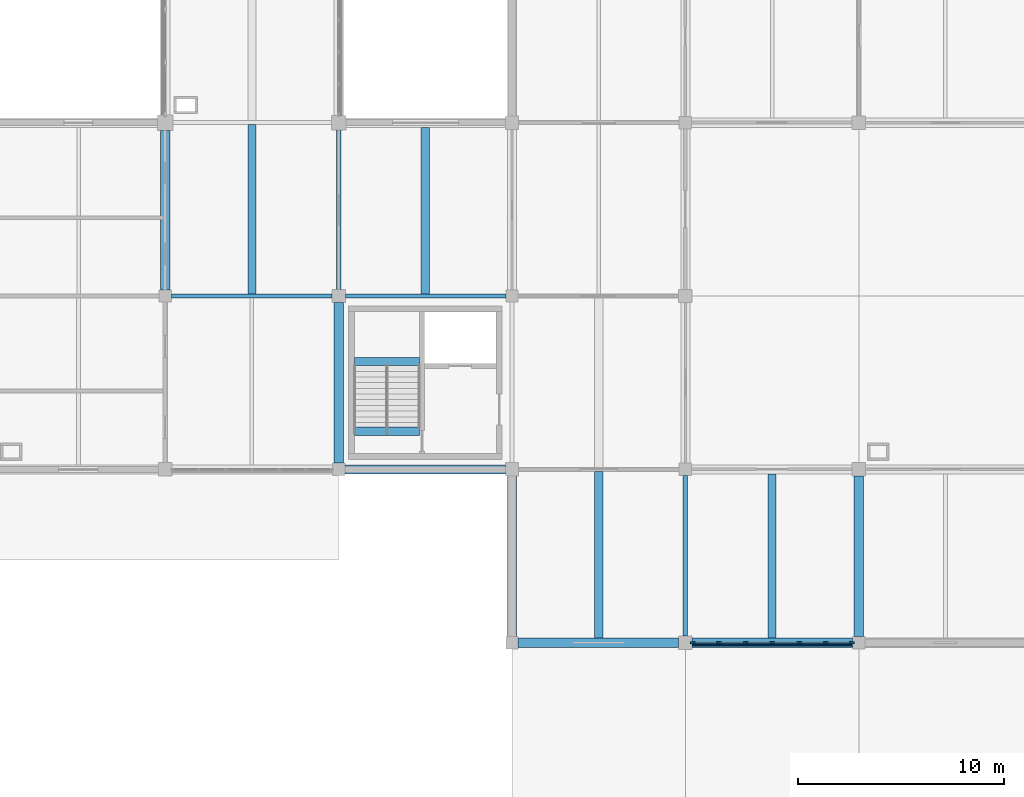
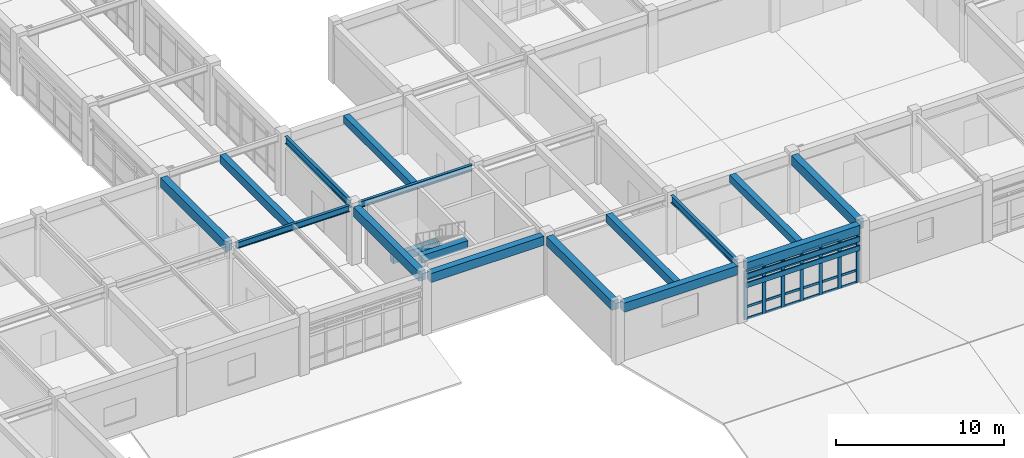
# One storey, part 6 of 78: 33 members, 17 beams, 1 element without a shape of its own.
"""IFC4 building model written with IfcOpenShell, lengths in metres."""

from ifc_helpers import new_model, si_unit, direction, frame, origin, origin_2d, place, context, subcontext, project, spatial, rectangle, i_section, extrude, material, layer, layer_set, material_profile, profile_set, type_object, element, aggregate, save


model = new_model("IFC4")

# Units and contexts
model_context = context("Model", 3, precision=1e-05, world=origin(), true_north=direction((0.0, 1.0)))
body_context = subcontext(model_context, "Body", "Model", "MODEL_VIEW")
ifc_project = project(units=[si_unit("LENGTHUNIT", "METRE"), si_unit("AREAUNIT", "SQUARE_METRE"), si_unit("VOLUMEUNIT", "CUBIC_METRE"), si_unit("PLANEANGLEUNIT", "RADIAN"), si_unit("MASSUNIT", "GRAM", prefix="KILO")], contexts=[model_context])

# Site, building, storey
site_placement = place(None, origin())
site = spatial("IfcSite", under=ifc_project, at=site_placement, CompositionType="ELEMENT")
building_placement = place(site_placement, origin())
building = spatial("IfcBuilding", under=site, at=building_placement, Name="Porcellanite Civic Hall", CompositionType="ELEMENT")
storey_placement = place(building_placement, frame((0.0, 0.0, 10.260009765625)))
storey = spatial("IfcBuildingStorey", under=building, at=storey_placement, Name="L02", CompositionType="ELEMENT", Elevation=10.260009765625)

# Beams
ifc_material_1 = material(Name="Concrete N50 (50 MPa)", Category="concrete")
ifc_material_profile_1 = material_profile(ifc_material_1, rectangle(XDim=0.39990234375, YDim=0.550048828125, at=origin_2d()), Name="RC-400x550")
ifc_profile_set_1 = profile_set([ifc_material_profile_1], Name="Concrete N50 (50 MPa)")
beam_type_1 = type_object("IfcBeamType", Name="BM-RC550", PredefinedType="JOIST", material=ifc_profile_set_1)
beam_1_placement = place(storey_placement, frame((63.0, 58.89453125, 3.965087890625), z_axis=(0.0, 1.0, 0.0), x_axis=(-1.0, 0.0, 0.0)))
element("IfcBeam", 1, at=beam_1_placement, inside=storey, type_object=beam_type_1, Name="Secondary joist L02 8-8", PredefinedType="JOIST", context=body_context, shape_type="SweptSolid", body=[
    extrude(rectangle(XDim=0.39990234375, YDim=0.550048828125, at=origin_2d()), origin(), (0.0, 0.0, 1.0), 8.0810546875),
])
beam_2_placement = place(storey_placement, frame((79.800048828125, 42.224609375, 3.965087890625), z_axis=(0.0, 1.0, 0.0), x_axis=(-1.0, 0.0, 0.0)))
element("IfcBeam", 2, at=beam_2_placement, inside=storey, type_object=beam_type_1, Name="Secondary joist L02 10-6", PredefinedType="JOIST", context=body_context, shape_type="SweptSolid", body=[
    extrude(rectangle(XDim=0.39990234375, YDim=0.550048828125, at=origin_2d()), origin(), (0.0, 0.0, 1.0), 7.950927734375),
])
for number, where, z_axis, x_axis, name in (
    (3, (59.560546875, 55.625, 1.885009765625), (1.0, 0.0, 0.0), (0.0, 1.0, 0.0), "Stair landing beam C5 L02"),
    (4, (59.560546875, 52.25, 3.965087890625), (1.0, 0.0, 0.0), (0.0, 1.0, 0.0), "Stair header beam C5 L02"),
):
    element("IfcBeam", number, at=place(storey_placement, frame(where, z_axis=z_axis, x_axis=x_axis)), inside=storey, type_object=beam_type_1, Name=name, PredefinedType="JOIST", context=body_context, shape_type="SweptSolid", body=[
        extrude(rectangle(XDim=0.39990234375, YDim=0.550048828125, at=origin_2d()), origin(), (0.0, 0.0, 1.0), 3.158935546875),
    ])
ifc_material_2 = material(Name="Concrete N50 (50 MPa)", Category="concrete")
ifc_material_profile_2 = material_profile(ifc_material_2, rectangle(XDim=0.39990234375, YDim=0.60009765625, at=origin_2d()), Name="RC-400x600")
ifc_profile_set_2 = profile_set([ifc_material_profile_2], Name="Concrete N50 (50 MPa)")
beam_type_2 = type_object("IfcBeamType", Name="BM-RC600", PredefinedType="JOIST", material=ifc_profile_set_2)
beam_3_placement = place(storey_placement, frame((54.60009765625, 58.89453125, 3.93994140625), z_axis=(0.0, 1.0, 0.0), x_axis=(-1.0, 0.0, 0.0)))
element("IfcBeam", 5, at=beam_3_placement, inside=storey, type_object=beam_type_2, Name="Secondary joist L02 7-8", PredefinedType="JOIST", context=body_context, shape_type="SweptSolid", body=[
    extrude(rectangle(XDim=0.39990234375, YDim=0.60009765625, at=origin_2d()), origin(), (0.0, 0.0, 1.0), 8.2109375),
])
beam_4_placement = place(storey_placement, frame((71.39990234375, 42.224609375, 3.93994140625), z_axis=(0.0, 1.0, 0.0), x_axis=(-1.0, 0.0, 0.0)))
element("IfcBeam", 6, at=beam_4_placement, inside=storey, type_object=beam_type_2, Name="Secondary joist L02 9-6", PredefinedType="JOIST", context=body_context, shape_type="SweptSolid", body=[
    extrude(rectangle(XDim=0.39990234375, YDim=0.60009765625, at=origin_2d()), origin(), (0.0, 0.0, 1.0), 8.080810546875),
])
ifc_material_3 = material(Name="Concrete N50 (50 MPa)", Category="concrete")
ifc_material_profile_3 = material_profile(ifc_material_3, rectangle(XDim=0.449951171875, YDim=0.64990234375, at=origin_2d()), Name="RC-450x650")
ifc_profile_set_3 = profile_set([ifc_material_profile_3], Name="Concrete N50 (50 MPa)")
beam_type_3 = type_object("IfcBeamType", Name="BM-RC650", PredefinedType="SPANDREL", material=ifc_profile_set_3)
for number, where, z_axis, x_axis, name in (
    (7, (59.099609375, 50.39990234375, 3.9150390625), (1.0, 0.0, 0.0), (0.0, 1.0, 0.0), "Beam X L02 8-7"),
    (8, (67.49951171875, 42.0, 3.9150390625), (1.0, 0.0, 0.0), (0.0, 1.0, 0.0), "Beam X L02 9-6"),
    (9, (75.924560546875, 42.0, 3.9150390625), (1.0, 0.0, 0.0), (0.0, 1.0, 0.0), "Beam X L02 10-6"),
    (10, (67.199951171875, 42.299560546875, 3.9150390625), (0.0, 1.0, 0.0), (-1.0, 0.0, 0.0), "Beam Y L02 9-6"),
):
    element("IfcBeam", number, at=place(storey_placement, frame(where, z_axis=z_axis, x_axis=x_axis)), inside=storey, type_object=beam_type_3, Name=name, PredefinedType="SPANDREL", context=body_context, shape_type="SweptSolid", body=[
        extrude(rectangle(XDim=0.449951171875, YDim=0.64990234375, at=origin_2d()), origin(), (0.0, 0.0, 1.0), 7.77587890625),
    ])
ifc_material_4 = material(Name="Concrete N50 (50 MPa)", Category="concrete")
ifc_material_profile_4 = material_profile(ifc_material_4, rectangle(XDim=0.449951171875, YDim=0.699951171875, at=origin_2d()), Name="RC-450x700")
ifc_profile_set_4 = profile_set([ifc_material_profile_4], Name="Concrete N50 (50 MPa)")
beam_type_4 = type_object("IfcBeamType", Name="BM-RC700", PredefinedType="BEAM", material=ifc_profile_set_4)
beam_5_placement = place(storey_placement, frame((50.39990234375, 59.099609375, 3.889892578125), z_axis=(0.0, 1.0, 0.0), x_axis=(-1.0, 0.0, 0.0)))
element("IfcBeam", 11, at=beam_5_placement, inside=storey, type_object=beam_type_4, Name="Beam Y L02 7-8", PredefinedType="BEAM", context=body_context, shape_type="SweptSolid", body=[
    extrude(rectangle(XDim=0.449951171875, YDim=0.699951171875, at=origin_2d()), origin(), (0.0, 0.0, 1.0), 7.725830078125),
])
beam_6_placement = place(storey_placement, frame((58.800048828125, 50.699462890625, 3.889892578125), z_axis=(0.0, 1.0, 0.0), x_axis=(-1.0, 0.0, 0.0)))
element("IfcBeam", 12, at=beam_6_placement, inside=storey, type_object=beam_type_4, Name="Beam Y L02 8-7", PredefinedType="BEAM", context=body_context, shape_type="SweptSolid", body=[
    extrude(rectangle(XDim=0.449951171875, YDim=0.699951171875, at=origin_2d()), origin(), (0.0, 0.0, 1.0), 7.776123046875),
])
beam_7_placement = place(storey_placement, frame((84.0, 42.299560546875, 3.889892578125), z_axis=(0.0, 1.0, 0.0), x_axis=(-1.0, 0.0, 0.0)))
element("IfcBeam", 13, at=beam_7_placement, inside=storey, type_object=beam_type_4, Name="Beam Y L02 11-6", PredefinedType="BEAM", context=body_context, shape_type="SweptSolid", body=[
    extrude(rectangle(XDim=0.449951171875, YDim=0.699951171875, at=origin_2d()), origin(), (0.0, 0.0, 1.0), 7.77587890625),
])

# Curtain wall, members
ifc_material_5 = material(Name="Anodised aluminium and solar laminated glass", Category="aluminium")
ifc_layer = layer(ifc_material_5, 0.179931640625)
ifc_layer_set = layer_set([ifc_layer], Name="Anodised aluminium and solar laminated glass")
curtain_wall_type = type_object("IfcCurtainWallType", Name="CW-SYS01", PredefinedType="NOTDEFINED", material=ifc_layer_set)
curtain_wall_placement = place(storey_placement, origin())
curtain_wall = element("IfcCurtainWall", 14, at=curtain_wall_placement, inside=storey, type_object=curtain_wall_type, Name="Curtain wall CW-153", PredefinedType="NOTDEFINED")
ifc_material_6 = material(Name="Anodised aluminium 6063-T6", Category="aluminium")
ifc_material_profile_5 = material_profile(ifc_material_6, rectangle(XDim=0.080078125, YDim=0.239990234375, at=origin_2d()), Name="AL-80x240")
ifc_profile_set_5 = profile_set([ifc_material_profile_5], Name="Anodised aluminium 6063-T6")
member_type_1 = type_object("IfcMemberType", Name="CWM-01", PredefinedType="MULLION", material=ifc_profile_set_5)
member_1_placement = place(storey_placement, frame((83.658935546875, 42.0, 0.0), z_axis=(0.0, 0.0, 1.0), x_axis=(0.0, -1.0, 0.0)))
member_1 = element("IfcMember", 15, at=member_1_placement, type_object=member_type_1, Name="CW-153 mullion 1", PredefinedType="MULLION", context=body_context, shape_type="SweptSolid", body=[
    extrude(rectangle(XDim=0.080078125, YDim=0.239990234375, at=origin_2d()), origin(), (0.0, 0.0, 1.0), 3.5400390625),
])
member_2_placement = place(storey_placement, frame((82.403564453125, 42.0, 0.0), z_axis=(0.0, 0.0, 1.0), x_axis=(0.0, -1.0, 0.0)))
member_2 = element("IfcMember", 16, at=member_2_placement, type_object=member_type_1, Name="CW-153 mullion 2", PredefinedType="MULLION", context=body_context, shape_type="SweptSolid", body=[
    extrude(rectangle(XDim=0.080078125, YDim=0.239990234375, at=origin_2d()), origin(), (0.0, 0.0, 1.0), 3.5400390625),
])
member_3_placement = place(storey_placement, frame((81.10791015625, 42.0, 0.0), z_axis=(0.0, 0.0, 1.0), x_axis=(0.0, -1.0, 0.0)))
member_3 = element("IfcMember", 17, at=member_3_placement, type_object=member_type_1, Name="CW-153 mullion 3", PredefinedType="MULLION", context=body_context, shape_type="SweptSolid", body=[
    extrude(rectangle(XDim=0.080078125, YDim=0.239990234375, at=origin_2d()), origin(), (0.0, 0.0, 1.0), 3.5400390625),
])
member_4_placement = place(storey_placement, frame((79.8125, 42.0, 0.0), z_axis=(0.0, 0.0, 1.0), x_axis=(0.0, -1.0, 0.0)))
member_4 = element("IfcMember", 18, at=member_4_placement, type_object=member_type_1, Name="CW-153 mullion 4", PredefinedType="MULLION", context=body_context, shape_type="SweptSolid", body=[
    extrude(rectangle(XDim=0.080078125, YDim=0.239990234375, at=origin_2d()), origin(), (0.0, 0.0, 1.0), 3.5400390625),
])
member_5_placement = place(storey_placement, frame((78.51708984375, 42.0, 0.0), z_axis=(0.0, 0.0, 1.0), x_axis=(0.0, -1.0, 0.0)))
member_5 = element("IfcMember", 19, at=member_5_placement, type_object=member_type_1, Name="CW-153 mullion 5", PredefinedType="MULLION", context=body_context, shape_type="SweptSolid", body=[
    extrude(rectangle(XDim=0.080078125, YDim=0.239990234375, at=origin_2d()), origin(), (0.0, 0.0, 1.0), 3.5400390625),
])
member_6_placement = place(storey_placement, frame((77.221435546875, 42.0, 0.0), z_axis=(0.0, 0.0, 1.0), x_axis=(0.0, -1.0, 0.0)))
member_6 = element("IfcMember", 20, at=member_6_placement, type_object=member_type_1, Name="CW-153 mullion 6", PredefinedType="MULLION", context=body_context, shape_type="SweptSolid", body=[
    extrude(rectangle(XDim=0.080078125, YDim=0.239990234375, at=origin_2d()), origin(), (0.0, 0.0, 1.0), 3.5400390625),
])
member_7_placement = place(storey_placement, frame((75.966064453125, 42.0, 0.0), z_axis=(0.0, 0.0, 1.0), x_axis=(0.0, -1.0, 0.0)))
member_7 = element("IfcMember", 21, at=member_7_placement, type_object=member_type_1, Name="CW-153 mullion 7", PredefinedType="MULLION", context=body_context, shape_type="SweptSolid", body=[
    extrude(rectangle(XDim=0.080078125, YDim=0.239990234375, at=origin_2d()), origin(), (0.0, 0.0, 1.0), 3.5400390625),
])
ifc_material_7 = material(Name="Anodised aluminium 6063-T6", Category="aluminium")
ifc_material_profile_6 = material_profile(ifc_material_7, rectangle(XDim=0.070068359375, YDim=0.175048828125, at=origin_2d()), Name="AL-70x175")
ifc_profile_set_6 = profile_set([ifc_material_profile_6], Name="Anodised aluminium 6063-T6")
member_type_2 = type_object("IfcMemberType", Name="CWT-01", PredefinedType="USERDEFINED", material=ifc_profile_set_6)
member_8_placement = place(storey_placement, frame((83.618896484375, 42.0, 0.034912109375), z_axis=(-1.0, 0.0, 0.0), x_axis=(0.0, -1.0, 0.0)))
member_8 = element("IfcMember", 22, at=member_8_placement, type_object=member_type_2, Name="CW-153 transom 1.1", ObjectType="TRANSOM", PredefinedType="USERDEFINED", context=body_context, shape_type="SweptSolid", body=[
    extrude(rectangle(XDim=0.070068359375, YDim=0.175048828125, at=origin_2d()), origin(), (0.0, 0.0, 1.0), 1.17529296875),
])
member_9_placement = place(storey_placement, frame((83.618896484375, 42.0, 0.89990234375), z_axis=(-1.0, 0.0, 0.0), x_axis=(0.0, -1.0, 0.0)))
member_9 = element("IfcMember", 23, at=member_9_placement, type_object=member_type_2, Name="CW-153 transom 1.2", ObjectType="TRANSOM", PredefinedType="USERDEFINED", context=body_context, shape_type="SweptSolid", body=[
    extrude(rectangle(XDim=0.070068359375, YDim=0.175048828125, at=origin_2d()), origin(), (0.0, 0.0, 1.0), 1.17529296875),
])
member_10_placement = place(storey_placement, frame((83.618896484375, 42.0, 2.889892578125), z_axis=(-1.0, 0.0, 0.0), x_axis=(0.0, -1.0, 0.0)))
member_10 = element("IfcMember", 24, at=member_10_placement, type_object=member_type_2, Name="CW-153 transom 1.3", ObjectType="TRANSOM", PredefinedType="USERDEFINED", context=body_context, shape_type="SweptSolid", body=[
    extrude(rectangle(XDim=0.070068359375, YDim=0.175048828125, at=origin_2d()), origin(), (0.0, 0.0, 1.0), 1.17529296875),
])
member_11_placement = place(storey_placement, frame((83.618896484375, 42.0, 3.5048828125), z_axis=(-1.0, 0.0, 0.0), x_axis=(0.0, -1.0, 0.0)))
member_11 = element("IfcMember", 25, at=member_11_placement, type_object=member_type_2, Name="CW-153 transom 1.4", ObjectType="TRANSOM", PredefinedType="USERDEFINED", context=body_context, shape_type="SweptSolid", body=[
    extrude(rectangle(XDim=0.070068359375, YDim=0.175048828125, at=origin_2d()), origin(), (0.0, 0.0, 1.0), 1.17529296875),
])
member_12_placement = place(storey_placement, frame((82.363525390625, 42.0, 0.034912109375), z_axis=(-1.0, 0.0, 0.0), x_axis=(0.0, -1.0, 0.0)))
member_12 = element("IfcMember", 26, at=member_12_placement, type_object=member_type_2, Name="CW-153 transom 2.1", ObjectType="TRANSOM", PredefinedType="USERDEFINED", context=body_context, shape_type="SweptSolid", body=[
    extrude(rectangle(XDim=0.070068359375, YDim=0.175048828125, at=origin_2d()), origin(), (0.0, 0.0, 1.0), 1.215576171875),
])
member_13_placement = place(storey_placement, frame((82.363525390625, 42.0, 0.89990234375), z_axis=(-1.0, 0.0, 0.0), x_axis=(0.0, -1.0, 0.0)))
member_13 = element("IfcMember", 27, at=member_13_placement, type_object=member_type_2, Name="CW-153 transom 2.2", ObjectType="TRANSOM", PredefinedType="USERDEFINED", context=body_context, shape_type="SweptSolid", body=[
    extrude(rectangle(XDim=0.070068359375, YDim=0.175048828125, at=origin_2d()), origin(), (0.0, 0.0, 1.0), 1.215576171875),
])
member_14_placement = place(storey_placement, frame((82.363525390625, 42.0, 2.889892578125), z_axis=(-1.0, 0.0, 0.0), x_axis=(0.0, -1.0, 0.0)))
member_14 = element("IfcMember", 28, at=member_14_placement, type_object=member_type_2, Name="CW-153 transom 2.3", ObjectType="TRANSOM", PredefinedType="USERDEFINED", context=body_context, shape_type="SweptSolid", body=[
    extrude(rectangle(XDim=0.070068359375, YDim=0.175048828125, at=origin_2d()), origin(), (0.0, 0.0, 1.0), 1.215576171875),
])
member_15_placement = place(storey_placement, frame((82.363525390625, 42.0, 3.5048828125), z_axis=(-1.0, 0.0, 0.0), x_axis=(0.0, -1.0, 0.0)))
member_15 = element("IfcMember", 29, at=member_15_placement, type_object=member_type_2, Name="CW-153 transom 2.4", ObjectType="TRANSOM", PredefinedType="USERDEFINED", context=body_context, shape_type="SweptSolid", body=[
    extrude(rectangle(XDim=0.070068359375, YDim=0.175048828125, at=origin_2d()), origin(), (0.0, 0.0, 1.0), 1.215576171875),
])
member_16_placement = place(storey_placement, frame((81.068115234375, 42.0, 0.034912109375), z_axis=(-1.0, 0.0, 0.0), x_axis=(0.0, -1.0, 0.0)))
member_16 = element("IfcMember", 30, at=member_16_placement, type_object=member_type_2, Name="CW-153 transom 3.1", ObjectType="TRANSOM", PredefinedType="USERDEFINED", context=body_context, shape_type="SweptSolid", body=[
    extrude(rectangle(XDim=0.070068359375, YDim=0.175048828125, at=origin_2d()), origin(), (0.0, 0.0, 1.0), 1.215576171875),
])
member_17_placement = place(storey_placement, frame((81.068115234375, 42.0, 0.89990234375), z_axis=(-1.0, 0.0, 0.0), x_axis=(0.0, -1.0, 0.0)))
member_17 = element("IfcMember", 31, at=member_17_placement, type_object=member_type_2, Name="CW-153 transom 3.2", ObjectType="TRANSOM", PredefinedType="USERDEFINED", context=body_context, shape_type="SweptSolid", body=[
    extrude(rectangle(XDim=0.070068359375, YDim=0.175048828125, at=origin_2d()), origin(), (0.0, 0.0, 1.0), 1.215576171875),
])
member_18_placement = place(storey_placement, frame((81.068115234375, 42.0, 2.889892578125), z_axis=(-1.0, 0.0, 0.0), x_axis=(0.0, -1.0, 0.0)))
member_18 = element("IfcMember", 32, at=member_18_placement, type_object=member_type_2, Name="CW-153 transom 3.3", ObjectType="TRANSOM", PredefinedType="USERDEFINED", context=body_context, shape_type="SweptSolid", body=[
    extrude(rectangle(XDim=0.070068359375, YDim=0.175048828125, at=origin_2d()), origin(), (0.0, 0.0, 1.0), 1.215576171875),
])
member_19_placement = place(storey_placement, frame((81.068115234375, 42.0, 3.5048828125), z_axis=(-1.0, 0.0, 0.0), x_axis=(0.0, -1.0, 0.0)))
member_19 = element("IfcMember", 33, at=member_19_placement, type_object=member_type_2, Name="CW-153 transom 3.4", ObjectType="TRANSOM", PredefinedType="USERDEFINED", context=body_context, shape_type="SweptSolid", body=[
    extrude(rectangle(XDim=0.070068359375, YDim=0.175048828125, at=origin_2d()), origin(), (0.0, 0.0, 1.0), 1.215576171875),
])
member_20_placement = place(storey_placement, frame((79.7724609375, 42.0, 0.034912109375), z_axis=(-1.0, 0.0, 0.0), x_axis=(0.0, -1.0, 0.0)))
member_20 = element("IfcMember", 34, at=member_20_placement, type_object=member_type_2, Name="CW-153 transom 4.1", ObjectType="TRANSOM", PredefinedType="USERDEFINED", context=body_context, shape_type="SweptSolid", body=[
    extrude(rectangle(XDim=0.070068359375, YDim=0.175048828125, at=origin_2d()), origin(), (0.0, 0.0, 1.0), 1.215576171875),
])
member_21_placement = place(storey_placement, frame((79.7724609375, 42.0, 0.89990234375), z_axis=(-1.0, 0.0, 0.0), x_axis=(0.0, -1.0, 0.0)))
member_21 = element("IfcMember", 35, at=member_21_placement, type_object=member_type_2, Name="CW-153 transom 4.2", ObjectType="TRANSOM", PredefinedType="USERDEFINED", context=body_context, shape_type="SweptSolid", body=[
    extrude(rectangle(XDim=0.070068359375, YDim=0.175048828125, at=origin_2d()), origin(), (0.0, 0.0, 1.0), 1.215576171875),
])
member_22_placement = place(storey_placement, frame((79.7724609375, 42.0, 2.889892578125), z_axis=(-1.0, 0.0, 0.0), x_axis=(0.0, -1.0, 0.0)))
member_22 = element("IfcMember", 36, at=member_22_placement, type_object=member_type_2, Name="CW-153 transom 4.3", ObjectType="TRANSOM", PredefinedType="USERDEFINED", context=body_context, shape_type="SweptSolid", body=[
    extrude(rectangle(XDim=0.070068359375, YDim=0.175048828125, at=origin_2d()), origin(), (0.0, 0.0, 1.0), 1.215576171875),
])
member_23_placement = place(storey_placement, frame((79.7724609375, 42.0, 3.5048828125), z_axis=(-1.0, 0.0, 0.0), x_axis=(0.0, -1.0, 0.0)))
member_23 = element("IfcMember", 37, at=member_23_placement, type_object=member_type_2, Name="CW-153 transom 4.4", ObjectType="TRANSOM", PredefinedType="USERDEFINED", context=body_context, shape_type="SweptSolid", body=[
    extrude(rectangle(XDim=0.070068359375, YDim=0.175048828125, at=origin_2d()), origin(), (0.0, 0.0, 1.0), 1.215576171875),
])
member_24_placement = place(storey_placement, frame((78.47705078125, 42.0, 0.034912109375), z_axis=(-1.0, 0.0, 0.0), x_axis=(0.0, -1.0, 0.0)))
member_24 = element("IfcMember", 38, at=member_24_placement, type_object=member_type_2, Name="CW-153 transom 5.1", ObjectType="TRANSOM", PredefinedType="USERDEFINED", context=body_context, shape_type="SweptSolid", body=[
    extrude(rectangle(XDim=0.070068359375, YDim=0.175048828125, at=origin_2d()), origin(), (0.0, 0.0, 1.0), 1.215576171875),
])
member_25_placement = place(storey_placement, frame((78.47705078125, 42.0, 0.89990234375), z_axis=(-1.0, 0.0, 0.0), x_axis=(0.0, -1.0, 0.0)))
member_25 = element("IfcMember", 39, at=member_25_placement, type_object=member_type_2, Name="CW-153 transom 5.2", ObjectType="TRANSOM", PredefinedType="USERDEFINED", context=body_context, shape_type="SweptSolid", body=[
    extrude(rectangle(XDim=0.070068359375, YDim=0.175048828125, at=origin_2d()), origin(), (0.0, 0.0, 1.0), 1.215576171875),
])
member_26_placement = place(storey_placement, frame((78.47705078125, 42.0, 2.889892578125), z_axis=(-1.0, 0.0, 0.0), x_axis=(0.0, -1.0, 0.0)))
member_26 = element("IfcMember", 40, at=member_26_placement, type_object=member_type_2, Name="CW-153 transom 5.3", ObjectType="TRANSOM", PredefinedType="USERDEFINED", context=body_context, shape_type="SweptSolid", body=[
    extrude(rectangle(XDim=0.070068359375, YDim=0.175048828125, at=origin_2d()), origin(), (0.0, 0.0, 1.0), 1.215576171875),
])
member_27_placement = place(storey_placement, frame((78.47705078125, 42.0, 3.5048828125), z_axis=(-1.0, 0.0, 0.0), x_axis=(0.0, -1.0, 0.0)))
member_27 = element("IfcMember", 41, at=member_27_placement, type_object=member_type_2, Name="CW-153 transom 5.4", ObjectType="TRANSOM", PredefinedType="USERDEFINED", context=body_context, shape_type="SweptSolid", body=[
    extrude(rectangle(XDim=0.070068359375, YDim=0.175048828125, at=origin_2d()), origin(), (0.0, 0.0, 1.0), 1.215576171875),
])
member_28_placement = place(storey_placement, frame((77.181396484375, 42.0, 0.034912109375), z_axis=(-1.0, 0.0, 0.0), x_axis=(0.0, -1.0, 0.0)))
member_28 = element("IfcMember", 42, at=member_28_placement, type_object=member_type_2, Name="CW-153 transom 6.1", ObjectType="TRANSOM", PredefinedType="USERDEFINED", context=body_context, shape_type="SweptSolid", body=[
    extrude(rectangle(XDim=0.070068359375, YDim=0.175048828125, at=origin_2d()), origin(), (0.0, 0.0, 1.0), 1.17529296875),
])
member_29_placement = place(storey_placement, frame((77.181396484375, 42.0, 0.89990234375), z_axis=(-1.0, 0.0, 0.0), x_axis=(0.0, -1.0, 0.0)))
member_29 = element("IfcMember", 43, at=member_29_placement, type_object=member_type_2, Name="CW-153 transom 6.2", ObjectType="TRANSOM", PredefinedType="USERDEFINED", context=body_context, shape_type="SweptSolid", body=[
    extrude(rectangle(XDim=0.070068359375, YDim=0.175048828125, at=origin_2d()), origin(), (0.0, 0.0, 1.0), 1.17529296875),
])
member_30_placement = place(storey_placement, frame((77.181396484375, 42.0, 2.889892578125), z_axis=(-1.0, 0.0, 0.0), x_axis=(0.0, -1.0, 0.0)))
member_30 = element("IfcMember", 44, at=member_30_placement, type_object=member_type_2, Name="CW-153 transom 6.3", ObjectType="TRANSOM", PredefinedType="USERDEFINED", context=body_context, shape_type="SweptSolid", body=[
    extrude(rectangle(XDim=0.070068359375, YDim=0.175048828125, at=origin_2d()), origin(), (0.0, 0.0, 1.0), 1.17529296875),
])
member_31_placement = place(storey_placement, frame((77.181396484375, 42.0, 3.5048828125), z_axis=(-1.0, 0.0, 0.0), x_axis=(0.0, -1.0, 0.0)))
member_31 = element("IfcMember", 45, at=member_31_placement, type_object=member_type_2, Name="CW-153 transom 6.4", ObjectType="TRANSOM", PredefinedType="USERDEFINED", context=body_context, shape_type="SweptSolid", body=[
    extrude(rectangle(XDim=0.070068359375, YDim=0.175048828125, at=origin_2d()), origin(), (0.0, 0.0, 1.0), 1.17529296875),
])
aggregate(curtain_wall, [member_1, member_2, member_3, member_4, member_5, member_6, member_7, member_8, member_9, member_10, member_11, member_12, member_13, member_14, member_15, member_16, member_17, member_18, member_19, member_20, member_21, member_22, member_23, member_24, member_25, member_26, member_27, member_28, member_29, member_30, member_31])

# Members
ifc_material_8 = material(Name="Fluoropolymer bauxite-red aluminium 6063-T6", Category="aluminium")
ifc_material_profile_7 = material_profile(ifc_material_8, rectangle(XDim=0.090087890625, YDim=0.360107421875, at=origin_2d()), Name="AL-90x360")
ifc_profile_set_7 = profile_set([ifc_material_profile_7], Name="Fluoropolymer bauxite-red aluminium 6063-T6")
member_type_3 = type_object("IfcMemberType", Name="LV-BLD01", PredefinedType="USERDEFINED", material=ifc_profile_set_7)
for number, where, z_axis, x_axis, name in (
    (46, (83.700439453125, 41.8330078125, 3.239990234375), (-1.0, 0.0, 0.0), (0.0, -1.0, 0.0), "Cyclone sunshade louvre L02 S 9-5 1"),
    (47, (83.700439453125, 41.8330078125, 2.590087890625), (-1.0, 0.0, 0.0), (0.0, -1.0, 0.0), "Cyclone sunshade louvre L02 S 9-5 2"),
):
    element("IfcMember", number, at=place(storey_placement, frame(where, z_axis=z_axis, x_axis=x_axis)), inside=storey, type_object=member_type_3, Name=name, ObjectType="LOUVRE BLADE", PredefinedType="USERDEFINED", context=body_context, shape_type="SweptSolid", body=[
        extrude(rectangle(XDim=0.090087890625, YDim=0.360107421875, at=origin_2d()), origin(), (0.0, 0.0, 1.0), 7.77587890625),
    ])

# Beams
ifc_material_9 = material(Name="Steel Grade 350", Category="steel")
ifc_material_profile_8 = material_profile(ifc_material_9, i_section(OverallWidth=0.18994140625, OverallDepth=0.4541015625, WebThickness=0.008544921875, FlangeThickness=0.0126953125, FilletRadius=0.011474609375, at=origin_2d()), Name="460UB67.1")
ifc_profile_set_8 = profile_set([ifc_material_profile_8], Name="Steel Grade 350")
beam_type_5 = type_object("IfcBeamType", Name="RAF-460UB67", PredefinedType="BEAM", material=ifc_profile_set_8)
beam_8_placement = place(storey_placement, frame((50.699462890625, 58.800048828125, 4.012939453125), z_axis=(1.0, 0.0, 0.0), x_axis=(0.0, 1.0, 0.0)))
element("IfcBeam", 48, at=beam_8_placement, inside=storey, type_object=beam_type_5, Name="Beam X L02 7-8", PredefinedType="BEAM", context=body_context, shape_type="SweptSolid", body=[
    extrude(i_section(OverallWidth=0.18994140625, OverallDepth=0.4541015625, WebThickness=0.008544921875, FlangeThickness=0.0126953125, FilletRadius=0.011474609375, at=origin_2d()), origin(), (0.0, 0.0, 1.0), 7.776123046875),
])
beam_9_placement = place(storey_placement, frame((59.12451171875, 58.800048828125, 4.012939453125), z_axis=(1.0, 0.0, 0.0), x_axis=(0.0, 1.0, 0.0)))
element("IfcBeam", 49, at=beam_9_placement, inside=storey, type_object=beam_type_5, Name="Beam X L02 8-8", PredefinedType="BEAM", context=body_context, shape_type="SweptSolid", body=[
    extrude(i_section(OverallWidth=0.18994140625, OverallDepth=0.4541015625, WebThickness=0.008544921875, FlangeThickness=0.0126953125, FilletRadius=0.011474609375, at=origin_2d()), origin(), (0.0, 0.0, 1.0), 7.77587890625),
])
ifc_material_10 = material(Name="Steel Grade 350", Category="steel")
ifc_material_profile_9 = material_profile(ifc_material_10, i_section(OverallWidth=0.208984375, OverallDepth=0.528076171875, WebThickness=0.009521484375, FlangeThickness=0.01318359375, FilletRadius=0.013916015625, at=origin_2d()), Name="530UB82.0")
ifc_profile_set_9 = profile_set([ifc_material_profile_9], Name="Steel Grade 350")
beam_type_6 = type_object("IfcBeamType", Name="RAF-530UB82", PredefinedType="BEAM", material=ifc_profile_set_9)
beam_10_placement = place(storey_placement, frame((58.800048828125, 59.12451171875, 3.97607421875), z_axis=(0.0, 1.0, 0.0), x_axis=(-1.0, 0.0, 0.0)))
element("IfcBeam", 50, at=beam_10_placement, inside=storey, type_object=beam_type_6, Name="Beam Y L02 8-8", PredefinedType="BEAM", context=body_context, shape_type="SweptSolid", body=[
    extrude(i_section(OverallWidth=0.208984375, OverallDepth=0.528076171875, WebThickness=0.009521484375, FlangeThickness=0.01318359375, FilletRadius=0.013916015625, at=origin_2d()), origin(), (0.0, 0.0, 1.0), 7.72607421875),
])
beam_11_placement = place(storey_placement, frame((75.60009765625, 42.324462890625, 3.97607421875), z_axis=(0.0, 1.0, 0.0), x_axis=(-1.0, 0.0, 0.0)))
element("IfcBeam", 51, at=beam_11_placement, inside=storey, type_object=beam_type_6, Name="Beam Y L02 10-6", PredefinedType="BEAM", context=body_context, shape_type="SweptSolid", body=[
    extrude(i_section(OverallWidth=0.208984375, OverallDepth=0.528076171875, WebThickness=0.009521484375, FlangeThickness=0.01318359375, FilletRadius=0.013916015625, at=origin_2d()), origin(), (0.0, 0.0, 1.0), 7.776123046875),
])

save(model, "model.ifc")
